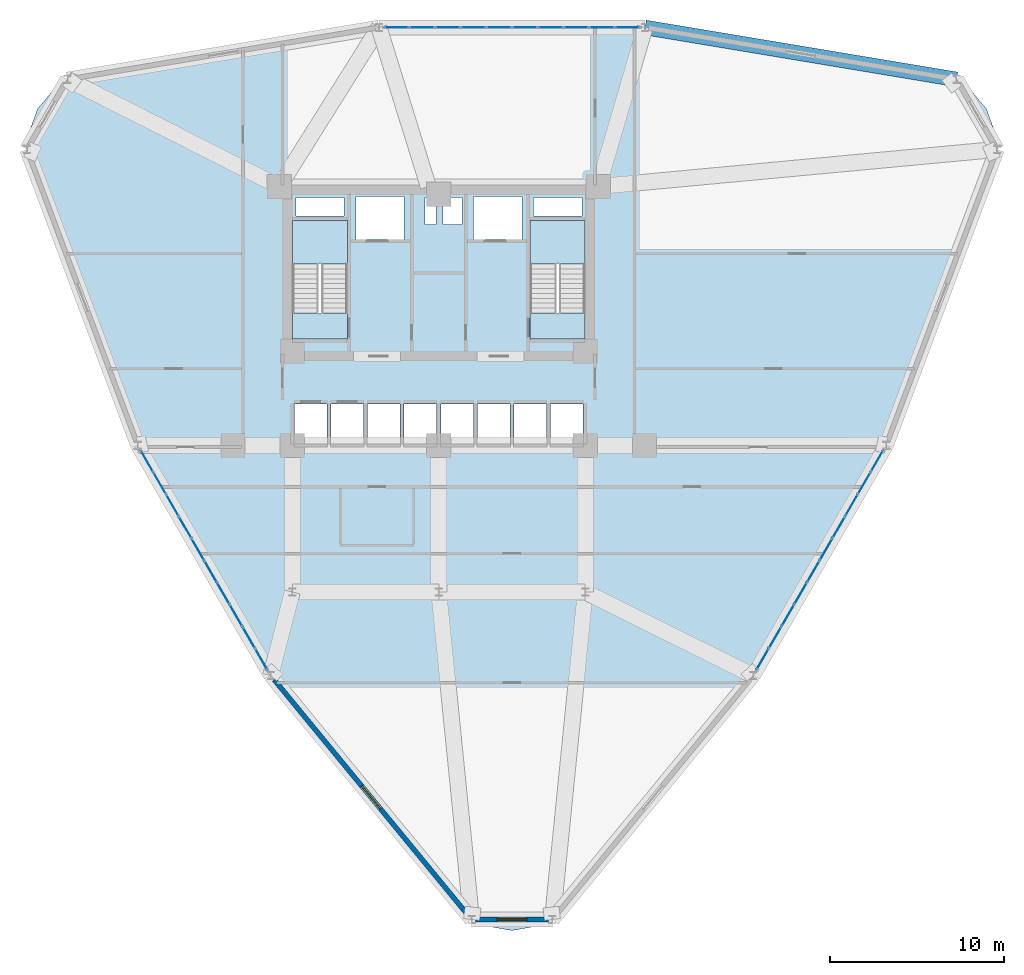
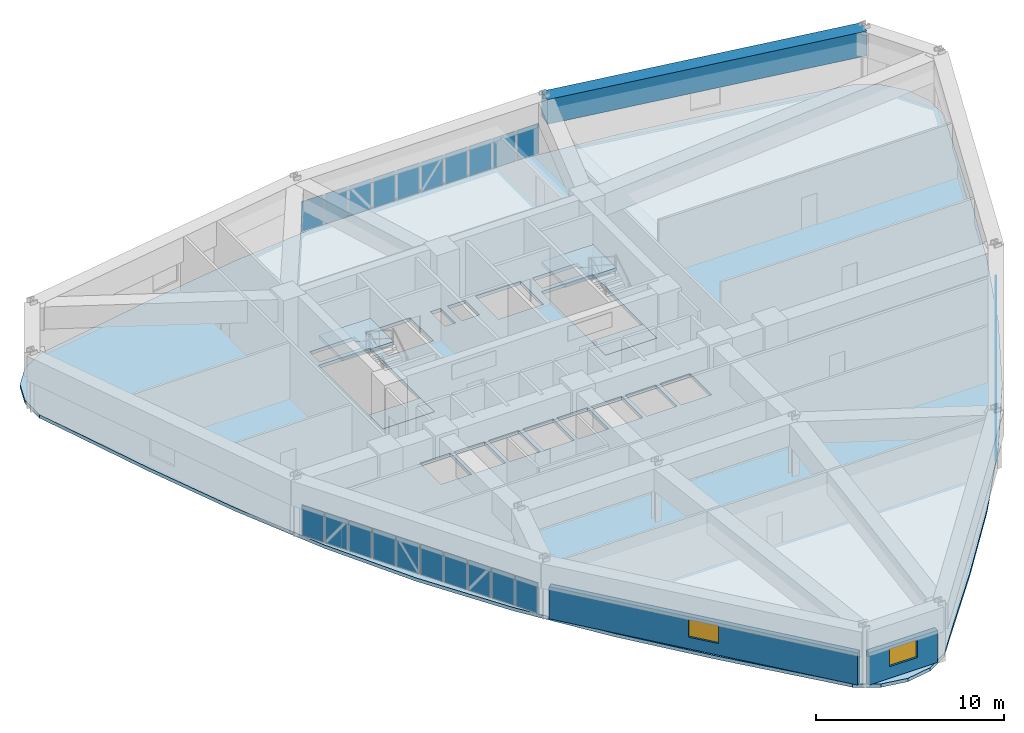
# One storey, part 13 of 18: 30 plates, 5 slabs, 2 walls, 2 windows, 1 beam, 2 openings, 5 elements without a shape of their own.
"""IFC4 building model written with IfcOpenShell, lengths in metres."""

from ifc_helpers import new_model, si_unit, derived_unit, direction, frame, frame_2d, origin, origin_2d, place, context, subcontext, project, spatial, polyline, rectangle, outline, extrude, source, transform, mapped, material, layer, layer_set, material_profile, profile_set, type_object, element, fill, aggregate, save


model = new_model("IFC4")

# Units and contexts
model_context = context("Model", 3, precision=1e-05, world=origin(), true_north=direction((0.0, 1.0)))
body_context = subcontext(model_context, "Body", "Model", "MODEL_VIEW")
ifc_project = project(units=[si_unit("LENGTHUNIT", "METRE"), si_unit("AREAUNIT", "SQUARE_METRE"), si_unit("VOLUMEUNIT", "CUBIC_METRE"), si_unit("PLANEANGLEUNIT", "RADIAN"), si_unit("MASSUNIT", "GRAM", prefix="KILO"), derived_unit("THERMALTRANSMITTANCEUNIT", [(si_unit("POWERUNIT", "WATT"), 1), (si_unit("LENGTHUNIT", "METRE"), -2), (si_unit("THERMODYNAMICTEMPERATUREUNIT", "KELVIN"), -1)])], contexts=[model_context])

# Site, building, storey
site_placement = place(None, origin())
site = spatial("IfcSite", under=ifc_project, at=site_placement, CompositionType="ELEMENT")
building_placement = place(site_placement, origin())
building = spatial("IfcBuilding", under=site, at=building_placement, Name="Korsvarv Bourse and Concert Hall", CompositionType="ELEMENT")
storey_placement = place(building_placement, frame((0.0, 0.0, 71.699951171875)))
storey = spatial("IfcBuildingStorey", under=building, at=storey_placement, Name="L17", CompositionType="ELEMENT", Elevation=71.699951171875)

# Beam
ifc_material_1 = material(Name="Concrete C55/67", Category="concrete")
ifc_material_profile = material_profile(ifc_material_1, rectangle(XDim=0.85009765625, YDim=1.60009765625, at=origin_2d()), Name="RC-BM 850x1600")
ifc_profile_set = profile_set([ifc_material_profile], Name="Concrete C55/67")
beam_type = type_object("IfcBeamType", Name="BM-TR1B", PredefinedType="BEAM", material=ifc_profile_set)
shared_shape_1 = source(origin(), body_context, "Body", "SweptSolid", [
    extrude(rectangle(XDim=0.85009765625, YDim=1.60009765625, at=origin_2d()), origin(), (0.0, 0.0, 1.0), 18.117431640625),
])
beam_placement = place(storey_placement, frame((65.69775390625, 53.398681640625, 2.880126953125), z_axis=(-0.986398293879, 0.164372764873, 0.0), x_axis=(-0.164372764873, -0.986398293879, 0.0)))
element("IfcBeam", 1, at=beam_placement, inside=storey, type_object=beam_type, Name="L17 beam B-TR2", PredefinedType="BEAM", context=body_context, shape_type="MappedRepresentation", body=[
    mapped(shared_shape_1, transform((0.0, 0.0, 0.0), scale=1.0)),
])

# Slabs
ifc_material_2 = material(Name="Precast concrete C45/55", Category="concrete")
ifc_layer_1 = layer(ifc_material_2, 0.199951171875)
ifc_layer_set_1 = layer_set([ifc_layer_1], Name="Precast concrete C45/55")
slab_type_1 = type_object("IfcSlabType", Name="SLB-FLND-T", PredefinedType="LANDING", material=ifc_layer_set_1)
slab_1_placement = place(storey_placement, frame((0.0, 0.0, -0.199951171875)))
element("IfcSlab", 2, at=slab_1_placement, inside=storey, type_object=slab_type_1, Name="L17 Stair ST-T1 Floor Landing Slab", PredefinedType="LANDING", context=body_context, shape_type="SweptSolid", body=[
    extrude(outline(polyline([(30.760009765625, 38.5), (30.760009765625, 40.0), (27.60009765625, 40.0), (27.60009765625, 38.5), (30.760009765625, 38.5)])), origin(), (0.0, 0.0, 1.0), 0.199951171875),
])
slab_2_placement = place(storey_placement, frame((0.0, 0.0, -0.199951171875)))
element("IfcSlab", 3, at=slab_2_placement, inside=storey, type_object=slab_type_1, Name="L17 Stair ST-T2 Floor Landing Slab", PredefinedType="LANDING", context=body_context, shape_type="SweptSolid", body=[
    extrude(outline(polyline([(44.39990234375, 38.5), (44.39990234375, 40.0), (41.239990234375, 40.0), (41.239990234375, 38.5), (44.39990234375, 38.5)])), origin(), (0.0, 0.0, 1.0), 0.199951171875),
])

# Stair, slab
stair_type = type_object("IfcStairType", Name="STR-TYPE-03", PredefinedType="HALF_TURN_STAIR", material=ifc_material_2)
stair_1_placement = place(storey_placement, origin())
stair_1 = element("IfcStair", 4, at=stair_1_placement, inside=storey, type_object=stair_type, Name="L17 Tower West Exit Stair ST-T1", PredefinedType="HALF_TURN_STAIR")
ifc_layer_2 = layer(ifc_material_2, 0.199951171875)
ifc_layer_set_2 = layer_set([ifc_layer_2], Name="Precast concrete C45/55")
slab_type_2 = type_object("IfcSlabType", Name="SLB-ST-LND", PredefinedType="LANDING", material=ifc_layer_set_2)
slab_3_placement = place(storey_placement, frame((0.0, 0.0, 1.75)))
slab_3 = element("IfcSlab", 5, at=slab_3_placement, type_object=slab_type_2, Name="ST-T1 landing 1", PredefinedType="LANDING", context=body_context, shape_type="SweptSolid", body=[
    extrude(outline(polyline([(30.760009765625, 42.800048828125), (30.760009765625, 45.300048828125), (27.60009765625, 45.300048828125), (27.60009765625, 42.800048828125), (30.760009765625, 42.800048828125)])), origin(), (0.0, 0.0, 1.0), 0.199951171875),
])
aggregate(stair_1, [slab_3])

stair_2_placement = place(storey_placement, origin())
stair_2 = element("IfcStair", 6, at=stair_2_placement, inside=storey, type_object=stair_type, Name="L17 Tower East Exit Stair ST-T2", PredefinedType="HALF_TURN_STAIR")
slab_4_placement = place(storey_placement, frame((0.0, 0.0, 1.75)))
slab_4 = element("IfcSlab", 7, at=slab_4_placement, type_object=slab_type_2, Name="ST-T2 landing 1", PredefinedType="LANDING", context=body_context, shape_type="SweptSolid", body=[
    extrude(outline(polyline([(44.39990234375, 42.800048828125), (44.39990234375, 45.300048828125), (41.239990234375, 45.300048828125), (41.239990234375, 42.800048828125), (44.39990234375, 42.800048828125)])), origin(), (0.0, 0.0, 1.0), 0.199951171875),
])
aggregate(stair_2, [slab_4])

# Slab
ifc_material_3 = material(Name="Concrete C45/55", Category="concrete")
ifc_layer_3 = layer(ifc_material_3, 0.219970703125)
ifc_layer_set_3 = layer_set([ifc_layer_3], Name="Concrete C45/55")
slab_type_3 = type_object("IfcSlabType", Name="SLB-TW1", PredefinedType="FLOOR", material=ifc_layer_set_3)
slab_5_placement = place(storey_placement, frame((0.0, 0.0, -0.219970703125)))
element("IfcSlab", 8, at=slab_5_placement, inside=storey, type_object=slab_type_3, Name="L17 tower structural floor slab", PredefinedType="FLOOR", context=body_context, shape_type="SweptSolid", body=[
    extrude(outline(polyline([(67.3515625, 47.177734375), (65.35986328125, 41.58203125), (63.234619140625, 36.088623046875), (60.8564453125, 30.76220703125), (58.1435546875, 25.64013671875), (55.064453125, 20.72998046875), (51.640380859375, 16.007080078125), (47.94580078125, 11.419921875), (44.095703125, 6.897216796875), (44.091552734375, 6.892333984375), (43.014404296875, 5.608642578125), (41.697509765625, 4.848388671875), (40.199951171875, 4.58447265625), (38.702392578125, 4.848388671875), (37.385498046875, 5.608642578125), (36.308349609375, 6.892333984375), (36.304443359375, 6.897216796875), (32.4541015625, 11.419921875), (28.759521484375, 16.007080078125), (25.335693359375, 20.72998046875), (22.25634765625, 25.64013671875), (19.543701171875, 30.76220703125), (17.165283203125, 36.088623046875), (15.040283203125, 41.58203125), (13.04833984375, 47.177734375), (13.04638671875, 47.18359375), (12.47314453125, 48.75830078125), (12.47314453125, 50.27880859375), (12.993408203125, 51.707763671875), (13.970703125, 52.872802734375), (15.28759765625, 53.633056640625), (16.93798828125, 53.924072265625), (16.944091796875, 53.925048828125), (22.785888671875, 54.998046875), (28.605712890625, 55.904296875), (34.407958984375, 56.5078125), (40.199951171875, 56.719482421875), (45.991943359375, 56.5078125), (51.794189453125, 55.904296875), (57.614013671875, 54.998046875), (63.455810546875, 53.925048828125), (63.462158203125, 53.924072265625), (65.1123046875, 53.633056640625), (66.42919921875, 52.872802734375), (67.40673828125, 51.707763671875), (67.9267578125, 50.27880859375), (67.9267578125, 48.75830078125), (67.353759765625, 47.18359375), (67.3515625, 47.177734375)]), holes=[polyline([(30.760009765625, 38.5), (30.760009765625, 45.300048828125), (27.60009765625, 45.300048828125), (27.60009765625, 38.5), (30.760009765625, 38.5)]), polyline([(44.39990234375, 38.5), (44.39990234375, 45.300048828125), (41.239990234375, 45.300048828125), (41.239990234375, 38.5), (44.39990234375, 38.5)]), polyline([(31.239990234375, 44.219970703125), (34.0, 44.219970703125), (34.0, 46.679931640625), (31.239990234375, 46.679931640625), (31.239990234375, 44.219970703125)]), polyline([(38.0, 44.219970703125), (40.760009765625, 44.219970703125), (40.760009765625, 46.679931640625), (38.0, 46.679931640625), (38.0, 44.219970703125)]), polyline([(27.719970703125, 32.52001953125), (29.580078125, 32.52001953125), (29.580078125, 34.780029296875), (27.719970703125, 34.780029296875), (27.719970703125, 32.52001953125)]), polyline([(29.820068359375, 32.52001953125), (31.679931640625, 32.52001953125), (31.679931640625, 34.780029296875), (29.820068359375, 34.780029296875), (29.820068359375, 32.52001953125)]), polyline([(31.919921875, 32.52001953125), (33.780029296875, 32.52001953125), (33.780029296875, 34.780029296875), (31.919921875, 34.780029296875), (31.919921875, 32.52001953125)]), polyline([(34.02001953125, 32.52001953125), (35.8798828125, 32.52001953125), (35.8798828125, 34.780029296875), (34.02001953125, 34.780029296875), (34.02001953125, 32.52001953125)]), polyline([(36.1201171875, 32.52001953125), (37.97998046875, 32.52001953125), (37.97998046875, 34.780029296875), (36.1201171875, 34.780029296875), (36.1201171875, 32.52001953125)]), polyline([(38.219970703125, 32.52001953125), (40.080078125, 32.52001953125), (40.080078125, 34.780029296875), (38.219970703125, 34.780029296875), (38.219970703125, 32.52001953125)]), polyline([(40.320068359375, 32.52001953125), (42.179931640625, 32.52001953125), (42.179931640625, 34.780029296875), (40.320068359375, 34.780029296875), (40.320068359375, 32.52001953125)]), polyline([(42.419921875, 32.52001953125), (44.280029296875, 32.52001953125), (44.280029296875, 34.780029296875), (42.419921875, 34.780029296875), (42.419921875, 32.52001953125)]), polyline([(27.800048828125, 45.56005859375), (30.56005859375, 45.56005859375), (30.56005859375, 46.6201171875), (27.800048828125, 46.6201171875), (27.800048828125, 45.56005859375)]), polyline([(41.43994140625, 45.56005859375), (44.199951171875, 45.56005859375), (44.199951171875, 46.6201171875), (41.43994140625, 46.6201171875), (41.43994140625, 45.56005859375)]), polyline([(35.199951171875, 45.080078125), (35.840087890625, 45.080078125), (35.840087890625, 46.6201171875), (35.199951171875, 46.6201171875), (35.199951171875, 45.080078125)]), polyline([(36.239990234375, 45.080078125), (37.320068359375, 45.080078125), (37.320068359375, 46.6201171875), (36.239990234375, 46.6201171875), (36.239990234375, 45.080078125)])]), origin(), (0.0, 0.0, 1.0), 0.219970703125),
])

# Curtain wall, plates
ifc_material_4 = material(Name="Anodised aluminium and triple low-E glazing", Category="glass")
ifc_layer_4 = layer(ifc_material_4, 0.219970703125)
ifc_layer_set_4 = layer_set([ifc_layer_4], Name="Anodised aluminium and triple low-E glazing")
curtain_wall_type = type_object("IfcCurtainWallType", Name="CW-SYS-1", PredefinedType="NOTDEFINED", material=ifc_layer_set_4)
curtain_wall_1_placement = place(storey_placement, origin())
curtain_wall_1 = element("IfcCurtainWall", 9, at=curtain_wall_1_placement, inside=storey, type_object=curtain_wall_type, Name="L17 CW1 curtain wall CW-L17-F03", PredefinedType="NOTDEFINED")
ifc_material_5 = material(Name="Tempered triple insulated low-E architectural glass", Category="glass")
ifc_layer_5 = layer(ifc_material_5, 0.035888671875)
ifc_layer_set_5 = layer_set([ifc_layer_5], Name="Tempered triple insulated low-E architectural glass")
plate_type_1 = type_object("IfcPlateType", Name="CWP-VIS1", PredefinedType="CURTAIN_PANEL", material=ifc_layer_set_5)
shared_shape_2 = source(origin(), body_context, "Body", "SweptSolid", [
    extrude(rectangle(XDim=1.367919921875, YDim=0.035888671875, at=origin_2d()), origin(), (0.0, 0.0, 1.0), 1.949951171875),
])
plate_1_placement = place(storey_placement, frame((46.810791015625, 56.376708984375, 0.06494140625), z_axis=(0.0, 0.0, 1.0), x_axis=(-1.0, 0.0, 0.0)))
plate_1 = element("IfcPlate", 10, at=plate_1_placement, type_object=plate_type_1, Name="CW1 faceted panel 1.1", PredefinedType="CURTAIN_PANEL", context=body_context, shape_type="MappedRepresentation", body=[
    mapped(shared_shape_2, transform((0.0, 0.0, 0.0), scale=1.0)),
])
plate_2_placement = place(storey_placement, frame((33.58935546875, 56.376708984375, 0.06494140625), z_axis=(0.0, 0.0, 1.0), x_axis=(-1.0, 0.0, 0.0)))
plate_2 = element("IfcPlate", 11, at=plate_2_placement, type_object=plate_type_1, Name="CW1 faceted panel 10.1", PredefinedType="CURTAIN_PANEL", context=body_context, shape_type="MappedRepresentation", body=[
    mapped(shared_shape_2, transform((0.0, 0.0, 0.0), scale=1.0)),
])
ifc_material_6 = material(Name="Insulated spandrel glass", Category="glass")
ifc_layer_6 = layer(ifc_material_6, 0.031982421875)
ifc_layer_set_6 = layer_set([ifc_layer_6], Name="Insulated spandrel glass")
plate_type_2 = type_object("IfcPlateType", Name="CWP-SPD1", PredefinedType="CURTAIN_PANEL", material=ifc_layer_set_6)
shared_shape_3 = source(origin(), body_context, "Body", "SweptSolid", [
    extrude(rectangle(XDim=1.40283203125, YDim=0.031982421875, at=origin_2d()), origin(), (0.0, 0.0, 1.0), 1.949951171875),
])
plate_3_placement = place(storey_placement, frame((45.355224609375, 56.376708984375, 0.06494140625), z_axis=(0.0, 0.0, 1.0), x_axis=(-1.0, 0.0, 0.0)))
plate_3 = element("IfcPlate", 12, at=plate_3_placement, type_object=plate_type_2, Name="CW1 spandrel shadow-box panel 2.1", PredefinedType="CURTAIN_PANEL", context=body_context, shape_type="MappedRepresentation", body=[
    mapped(shared_shape_3, transform((0.0, 0.0, 0.0), scale=1.0)),
])
plate_4_placement = place(storey_placement, frame((40.9365234375, 56.376708984375, 0.06494140625), z_axis=(0.0, 0.0, 1.0), x_axis=(-1.0, 0.0, 0.0)))
plate_4 = element("IfcPlate", 13, at=plate_4_placement, type_object=plate_type_2, Name="CW1 spandrel shadow-box panel 5.1", PredefinedType="CURTAIN_PANEL", context=body_context, shape_type="MappedRepresentation", body=[
    mapped(shared_shape_3, transform((0.0, 0.0, 0.0), scale=1.0)),
])
plate_5_placement = place(storey_placement, frame((36.517578125, 56.376708984375, 0.06494140625), z_axis=(0.0, 0.0, 1.0), x_axis=(-1.0, 0.0, 0.0)))
plate_5 = element("IfcPlate", 14, at=plate_5_placement, type_object=plate_type_2, Name="CW1 spandrel shadow-box panel 8.1", PredefinedType="CURTAIN_PANEL", context=body_context, shape_type="MappedRepresentation", body=[
    mapped(shared_shape_3, transform((0.0, 0.0, 0.0), scale=1.0)),
])
shared_shape_4 = source(origin(), body_context, "Body", "SweptSolid", [
    extrude(rectangle(XDim=1.40283203125, YDim=0.035888671875, at=origin_2d()), origin(), (0.0, 0.0, 1.0), 1.949951171875),
])
plate_6_placement = place(storey_placement, frame((43.88232421875, 56.376708984375, 0.06494140625), z_axis=(0.0, 0.0, 1.0), x_axis=(-1.0, 0.0, 0.0)))
plate_6 = element("IfcPlate", 15, at=plate_6_placement, type_object=plate_type_1, Name="CW1 faceted panel 3.1", PredefinedType="CURTAIN_PANEL", context=body_context, shape_type="MappedRepresentation", body=[
    mapped(shared_shape_4, transform((0.0, 0.0, 0.0), scale=1.0)),
])
plate_7_placement = place(storey_placement, frame((42.409423828125, 56.376708984375, 0.06494140625), z_axis=(0.0, 0.0, 1.0), x_axis=(-1.0, 0.0, 0.0)))
plate_7 = element("IfcPlate", 16, at=plate_7_placement, type_object=plate_type_1, Name="CW1 faceted panel 4.1", PredefinedType="CURTAIN_PANEL", context=body_context, shape_type="MappedRepresentation", body=[
    mapped(shared_shape_4, transform((0.0, 0.0, 0.0), scale=1.0)),
])
plate_8_placement = place(storey_placement, frame((39.463623046875, 56.376708984375, 0.06494140625), z_axis=(0.0, 0.0, 1.0), x_axis=(-1.0, 0.0, 0.0)))
plate_8 = element("IfcPlate", 17, at=plate_8_placement, type_object=plate_type_1, Name="CW1 faceted panel 6.1", PredefinedType="CURTAIN_PANEL", context=body_context, shape_type="MappedRepresentation", body=[
    mapped(shared_shape_4, transform((0.0, 0.0, 0.0), scale=1.0)),
])
plate_9_placement = place(storey_placement, frame((37.990478515625, 56.376708984375, 0.06494140625), z_axis=(0.0, 0.0, 1.0), x_axis=(-1.0, 0.0, 0.0)))
plate_9 = element("IfcPlate", 18, at=plate_9_placement, type_object=plate_type_1, Name="CW1 faceted panel 7.1", PredefinedType="CURTAIN_PANEL", context=body_context, shape_type="MappedRepresentation", body=[
    mapped(shared_shape_4, transform((0.0, 0.0, 0.0), scale=1.0)),
])
plate_10_placement = place(storey_placement, frame((35.044677734375, 56.376708984375, 0.06494140625), z_axis=(0.0, 0.0, 1.0), x_axis=(-1.0, 0.0, 0.0)))
plate_10 = element("IfcPlate", 19, at=plate_10_placement, type_object=plate_type_1, Name="CW1 faceted panel 9.1", PredefinedType="CURTAIN_PANEL", context=body_context, shape_type="MappedRepresentation", body=[
    mapped(shared_shape_4, transform((0.0, 0.0, 0.0), scale=1.0)),
])
aggregate(curtain_wall_1, [plate_1, plate_3, plate_6, plate_7, plate_4, plate_8, plate_9, plate_5, plate_10, plate_2])

curtain_wall_2_placement = place(storey_placement, origin())
curtain_wall_2 = element("IfcCurtainWall", 20, at=curtain_wall_2_placement, inside=storey, type_object=curtain_wall_type, Name="L17 CW1 curtain wall CW-L17-F07", PredefinedType="NOTDEFINED")
shared_shape_5 = source(origin(), body_context, "Body", "SweptSolid", [
    extrude(rectangle(XDim=1.35400390625, YDim=0.035888671875, at=origin_2d()), origin(), (0.0, 0.0, 1.0), 1.949951171875),
])
plate_11_placement = place(storey_placement, frame((19.279052734375, 31.482666015625, 0.06494140625), z_axis=(0.0, 0.0, 1.0), x_axis=(0.500006038217, -0.86602191759, 0.0)))
plate_11 = element("IfcPlate", 21, at=plate_11_placement, type_object=plate_type_1, Name="CW1 faceted panel 1.1", PredefinedType="CURTAIN_PANEL", context=body_context, shape_type="MappedRepresentation", body=[
    mapped(shared_shape_5, transform((0.0, 0.0, 0.0), scale=1.0)),
])
plate_12_placement = place(storey_placement, frame((25.827392578125, 20.140625, 0.06494140625), z_axis=(0.0, 0.0, 1.0), x_axis=(0.500006038217, -0.86602191759, 0.0)))
plate_12 = element("IfcPlate", 22, at=plate_12_placement, type_object=plate_type_1, Name="CW1 faceted panel 10.1", PredefinedType="CURTAIN_PANEL", context=body_context, shape_type="MappedRepresentation", body=[
    mapped(shared_shape_5, transform((0.0, 0.0, 0.0), scale=1.0)),
])

curtain_wall_3_placement = place(storey_placement, origin())
curtain_wall_3 = element("IfcCurtainWall", 23, at=curtain_wall_3_placement, inside=storey, type_object=curtain_wall_type, Name="L17 CW1 curtain wall CW-L17-F11", PredefinedType="NOTDEFINED")
plate_13_placement = place(storey_placement, frame((54.572509765625, 20.140625, 0.06494140625), z_axis=(0.0, 0.0, 1.0), x_axis=(0.500006038217, 0.86602191759, 0.0)))
plate_13 = element("IfcPlate", 24, at=plate_13_placement, type_object=plate_type_1, Name="CW1 faceted panel 1.1", PredefinedType="CURTAIN_PANEL", context=body_context, shape_type="MappedRepresentation", body=[
    mapped(shared_shape_5, transform((0.0, 0.0, 0.0), scale=1.0)),
])
plate_14_placement = place(storey_placement, frame((61.12109375, 31.482666015625, 0.06494140625), z_axis=(0.0, 0.0, 1.0), x_axis=(0.500006038217, 0.86602191759, 0.0)))
plate_14 = element("IfcPlate", 25, at=plate_14_placement, type_object=plate_type_1, Name="CW1 faceted panel 10.1", PredefinedType="CURTAIN_PANEL", context=body_context, shape_type="MappedRepresentation", body=[
    mapped(shared_shape_5, transform((0.0, 0.0, 0.0), scale=1.0)),
])

# Plate
shared_shape_6 = source(origin(), body_context, "Body", "SweptSolid", [
    extrude(rectangle(XDim=1.38916015625, YDim=0.031982421875, at=origin_2d()), origin(), (0.0, 0.0, 1.0), 1.949951171875),
])
plate_15_placement = place(storey_placement, frame((19.999755859375, 30.234130859375, 0.06494140625), z_axis=(0.0, 0.0, 1.0), x_axis=(0.500006038217, -0.86602191759, 0.0)))
plate_15 = element("IfcPlate", 26, at=plate_15_placement, type_object=plate_type_2, Name="CW1 spandrel shadow-box panel 2.1", PredefinedType="CURTAIN_PANEL", context=body_context, shape_type="MappedRepresentation", body=[
    mapped(shared_shape_6, transform((0.0, 0.0, 0.0), scale=1.0)),
])

plate_16_placement = place(storey_placement, frame((22.1884765625, 26.443359375, 0.06494140625), z_axis=(0.0, 0.0, 1.0), x_axis=(0.500006038217, -0.86602191759, 0.0)))
plate_16 = element("IfcPlate", 27, at=plate_16_placement, type_object=plate_type_2, Name="CW1 spandrel shadow-box panel 5.1", PredefinedType="CURTAIN_PANEL", context=body_context, shape_type="MappedRepresentation", body=[
    mapped(shared_shape_6, transform((0.0, 0.0, 0.0), scale=1.0)),
])

plate_17_placement = place(storey_placement, frame((24.376953125, 22.652587890625, 0.06494140625), z_axis=(0.0, 0.0, 1.0), x_axis=(0.500006038217, -0.86602191759, 0.0)))
plate_17 = element("IfcPlate", 28, at=plate_17_placement, type_object=plate_type_2, Name="CW1 spandrel shadow-box panel 8.1", PredefinedType="CURTAIN_PANEL", context=body_context, shape_type="MappedRepresentation", body=[
    mapped(shared_shape_6, transform((0.0, 0.0, 0.0), scale=1.0)),
])

plate_18_placement = place(storey_placement, frame((55.29345703125, 21.38916015625, 0.06494140625), z_axis=(0.0, 0.0, 1.0), x_axis=(0.500006038217, 0.86602191759, 0.0)))
plate_18 = element("IfcPlate", 29, at=plate_18_placement, type_object=plate_type_2, Name="CW1 spandrel shadow-box panel 2.1", PredefinedType="CURTAIN_PANEL", context=body_context, shape_type="MappedRepresentation", body=[
    mapped(shared_shape_6, transform((0.0, 0.0, 0.0), scale=1.0)),
])

plate_19_placement = place(storey_placement, frame((57.48193359375, 25.179931640625, 0.06494140625), z_axis=(0.0, 0.0, 1.0), x_axis=(0.500006038217, 0.86602191759, 0.0)))
plate_19 = element("IfcPlate", 30, at=plate_19_placement, type_object=plate_type_2, Name="CW1 spandrel shadow-box panel 5.1", PredefinedType="CURTAIN_PANEL", context=body_context, shape_type="MappedRepresentation", body=[
    mapped(shared_shape_6, transform((0.0, 0.0, 0.0), scale=1.0)),
])

plate_20_placement = place(storey_placement, frame((59.670654296875, 28.970458984375, 0.06494140625), z_axis=(0.0, 0.0, 1.0), x_axis=(0.500006038217, 0.86602191759, 0.0)))
plate_20 = element("IfcPlate", 31, at=plate_20_placement, type_object=plate_type_2, Name="CW1 spandrel shadow-box panel 8.1", PredefinedType="CURTAIN_PANEL", context=body_context, shape_type="MappedRepresentation", body=[
    mapped(shared_shape_6, transform((0.0, 0.0, 0.0), scale=1.0)),
])

shared_shape_7 = source(origin(), body_context, "Body", "SweptSolid", [
    extrude(rectangle(XDim=1.38916015625, YDim=0.035888671875, at=origin_2d()), origin(), (0.0, 0.0, 1.0), 1.949951171875),
])
plate_21_placement = place(storey_placement, frame((20.729248046875, 28.970458984375, 0.06494140625), z_axis=(0.0, 0.0, 1.0), x_axis=(0.500006038217, -0.86602191759, 0.0)))
plate_21 = element("IfcPlate", 32, at=plate_21_placement, type_object=plate_type_1, Name="CW1 faceted panel 3.1", PredefinedType="CURTAIN_PANEL", context=body_context, shape_type="MappedRepresentation", body=[
    mapped(shared_shape_7, transform((0.0, 0.0, 0.0), scale=1.0)),
])

plate_22_placement = place(storey_placement, frame((21.458984375, 27.70703125, 0.06494140625), z_axis=(0.0, 0.0, 1.0), x_axis=(0.500006038217, -0.86602191759, 0.0)))
plate_22 = element("IfcPlate", 33, at=plate_22_placement, type_object=plate_type_1, Name="CW1 faceted panel 4.1", PredefinedType="CURTAIN_PANEL", context=body_context, shape_type="MappedRepresentation", body=[
    mapped(shared_shape_7, transform((0.0, 0.0, 0.0), scale=1.0)),
])

plate_23_placement = place(storey_placement, frame((22.91796875, 25.179931640625, 0.06494140625), z_axis=(0.0, 0.0, 1.0), x_axis=(0.500006038217, -0.86602191759, 0.0)))
plate_23 = element("IfcPlate", 34, at=plate_23_placement, type_object=plate_type_1, Name="CW1 faceted panel 6.1", PredefinedType="CURTAIN_PANEL", context=body_context, shape_type="MappedRepresentation", body=[
    mapped(shared_shape_7, transform((0.0, 0.0, 0.0), scale=1.0)),
])

plate_24_placement = place(storey_placement, frame((23.6474609375, 23.916259765625, 0.06494140625), z_axis=(0.0, 0.0, 1.0), x_axis=(0.500006038217, -0.86602191759, 0.0)))
plate_24 = element("IfcPlate", 35, at=plate_24_placement, type_object=plate_type_1, Name="CW1 faceted panel 7.1", PredefinedType="CURTAIN_PANEL", context=body_context, shape_type="MappedRepresentation", body=[
    mapped(shared_shape_7, transform((0.0, 0.0, 0.0), scale=1.0)),
])

plate_25_placement = place(storey_placement, frame((25.106689453125, 21.38916015625, 0.06494140625), z_axis=(0.0, 0.0, 1.0), x_axis=(0.500006038217, -0.86602191759, 0.0)))
plate_25 = element("IfcPlate", 36, at=plate_25_placement, type_object=plate_type_1, Name="CW1 faceted panel 9.1", PredefinedType="CURTAIN_PANEL", context=body_context, shape_type="MappedRepresentation", body=[
    mapped(shared_shape_7, transform((0.0, 0.0, 0.0), scale=1.0)),
])

aggregate(curtain_wall_2, [plate_11, plate_15, plate_21, plate_22, plate_16, plate_23, plate_24, plate_17, plate_25, plate_12])

plate_26_placement = place(storey_placement, frame((56.02294921875, 22.652587890625, 0.06494140625), z_axis=(0.0, 0.0, 1.0), x_axis=(0.500006038217, 0.86602191759, 0.0)))
plate_26 = element("IfcPlate", 37, at=plate_26_placement, type_object=plate_type_1, Name="CW1 faceted panel 3.1", PredefinedType="CURTAIN_PANEL", context=body_context, shape_type="MappedRepresentation", body=[
    mapped(shared_shape_7, transform((0.0, 0.0, 0.0), scale=1.0)),
])

plate_27_placement = place(storey_placement, frame((56.75244140625, 23.916259765625, 0.06494140625), z_axis=(0.0, 0.0, 1.0), x_axis=(0.500006038217, 0.86602191759, 0.0)))
plate_27 = element("IfcPlate", 38, at=plate_27_placement, type_object=plate_type_1, Name="CW1 faceted panel 4.1", PredefinedType="CURTAIN_PANEL", context=body_context, shape_type="MappedRepresentation", body=[
    mapped(shared_shape_7, transform((0.0, 0.0, 0.0), scale=1.0)),
])

plate_28_placement = place(storey_placement, frame((58.211669921875, 26.443359375, 0.06494140625), z_axis=(0.0, 0.0, 1.0), x_axis=(0.500006038217, 0.86602191759, 0.0)))
plate_28 = element("IfcPlate", 39, at=plate_28_placement, type_object=plate_type_1, Name="CW1 faceted panel 6.1", PredefinedType="CURTAIN_PANEL", context=body_context, shape_type="MappedRepresentation", body=[
    mapped(shared_shape_7, transform((0.0, 0.0, 0.0), scale=1.0)),
])

plate_29_placement = place(storey_placement, frame((58.941162109375, 27.70703125, 0.06494140625), z_axis=(0.0, 0.0, 1.0), x_axis=(0.500006038217, 0.86602191759, 0.0)))
plate_29 = element("IfcPlate", 40, at=plate_29_placement, type_object=plate_type_1, Name="CW1 faceted panel 7.1", PredefinedType="CURTAIN_PANEL", context=body_context, shape_type="MappedRepresentation", body=[
    mapped(shared_shape_7, transform((0.0, 0.0, 0.0), scale=1.0)),
])

plate_30_placement = place(storey_placement, frame((60.400146484375, 30.234130859375, 0.06494140625), z_axis=(0.0, 0.0, 1.0), x_axis=(0.500006038217, 0.86602191759, 0.0)))
plate_30 = element("IfcPlate", 41, at=plate_30_placement, type_object=plate_type_1, Name="CW1 faceted panel 9.1", PredefinedType="CURTAIN_PANEL", context=body_context, shape_type="MappedRepresentation", body=[
    mapped(shared_shape_7, transform((0.0, 0.0, 0.0), scale=1.0)),
])

aggregate(curtain_wall_3, [plate_13, plate_18, plate_26, plate_27, plate_19, plate_28, plate_29, plate_20, plate_30, plate_14])

# Wall, opening, window
ifc_material_7 = material(Name="Precast concrete C45/55 with terracotta rainscreen", Category="concrete")
ifc_layer_7 = layer(ifc_material_7, 0.300048828125)
ifc_layer_set_7 = layer_set([ifc_layer_7], Name="Precast concrete C45/55 with terracotta rainscreen")
wall_type_1 = type_object("IfcWallType", Name="WL-EXT-TC1", PredefinedType="SOLIDWALL", material=ifc_layer_set_7)
wall_1_placement = place(storey_placement, frame((38.097900390625, 5.218994140625, 0.0), z_axis=(0.0, 0.0, 1.0), x_axis=(1.0, 0.0, 0.0)))
wall_1 = element("IfcWall", 42, at=wall_1_placement, inside=storey, type_object=wall_type_1, Name="L17 terracotta exterior wall EW-L17-B09", PredefinedType="SOLIDWALL", context=body_context, shape_type="SweptSolid", body=[
    extrude(rectangle(XDim=4.2041015625, YDim=0.300048828125, at=frame_2d((2.10205078125, 0.0))), origin(), (0.0, 0.0, 1.0), 2.080078125),
])
opening_1_placement = place(wall_1_placement, frame((1.251953125, 0.0, 0.75)))
opening_1 = element("IfcOpeningElement", 43, at=opening_1_placement, cuts=wall_1, Name="Opening W-06", PredefinedType="OPENING", context=body_context, shape_type="SweptSolid", body=[
    extrude(rectangle(XDim=1.699951171875, YDim=1.14990234375, at=frame_2d((0.85009765625, 0.574951171875))), frame((0.0, 0.16015625, 0.0), z_axis=(0.0, -1.0, 0.0), x_axis=(1.0, 0.0, 0.0)), (0.0, 0.0, 1.0), 0.320068359375),
])
ifc_material_8 = material(Name="Thermally broken aluminium frame with triple low-E glass", Category="glass")
window_type = type_object("IfcWindowType", Name="WIN-TW1-1700X1150", PartitioningType="SINGLE_PANEL", PredefinedType="WINDOW", material=ifc_material_8)
window_1_placement = place(opening_1_placement, origin())
window_1 = element("IfcWindow", 44, at=window_1_placement, inside=storey, type_object=window_type, Name="L17 punched facade window W-06", OverallHeight=1.14990234375, OverallWidth=1.699951171875, PartitioningType="SINGLE_PANEL", PredefinedType="WINDOW", context=body_context, shape_type="SweptSolid", body=[
    extrude(rectangle(XDim=1.699951171875, YDim=1.14990234375, at=frame_2d((0.85009765625, 0.574951171875))), frame((0.0, 0.030029296875, 0.0), z_axis=(0.0, -1.0, 0.0), x_axis=(1.0, 0.0, 0.0)), (0.0, 0.0, 1.0), 0.06005859375),
])
fill(opening_1, window_1)

ifc_material_9 = material(Name="Precast concrete C45/55 with fluted terracotta pier", Category="concrete")
ifc_layer_8 = layer(ifc_material_9, 0.280029296875)
ifc_layer_set_8 = layer_set([ifc_layer_8], Name="Precast concrete C45/55 with fluted terracotta pier")
wall_type_2 = type_object("IfcWallType", Name="WL-EXT-TC2", PredefinedType="SOLIDWALL", material=ifc_layer_set_8)
wall_2_placement = place(storey_placement, frame((26.56591796875, 18.964599609375, 0.0), z_axis=(0.0, 0.0, 1.0), x_axis=(0.635547248194, -0.772061976342, 0.0)))
wall_2 = element("IfcWall", 45, at=wall_2_placement, inside=storey, type_object=wall_type_2, Name="L17 terracotta exterior wall EW-L17-B08", PredefinedType="SOLIDWALL", context=body_context, shape_type="SweptSolid", body=[
    extrude(rectangle(XDim=17.490478515625, YDim=0.280029296875, at=frame_2d((8.7451171875, 0.0))), origin(), (0.0, 0.0, 1.0), 2.080078125),
])
opening_2_placement = place(wall_2_placement, frame((7.895263671875, 0.0, 0.75)))
opening_2 = element("IfcOpeningElement", 46, at=opening_2_placement, cuts=wall_2, Name="Opening W-06", PredefinedType="OPENING", context=body_context, shape_type="SweptSolid", body=[
    extrude(rectangle(XDim=1.699951171875, YDim=1.14990234375, at=frame_2d((0.85009765625, 0.574951171875))), frame((0.0, 0.14990234375, 0.0), z_axis=(0.0, -1.0, 0.0), x_axis=(1.0, 0.0, 0.0)), (0.0, 0.0, 1.0), 0.300048828125),
])
window_2_placement = place(opening_2_placement, origin())
window_2 = element("IfcWindow", 47, at=window_2_placement, inside=storey, type_object=window_type, Name="L17 punched facade window W-06", OverallHeight=1.14990234375, OverallWidth=1.699951171875, PartitioningType="SINGLE_PANEL", PredefinedType="WINDOW", context=body_context, shape_type="SweptSolid", body=[
    extrude(rectangle(XDim=1.699951171875, YDim=1.14990234375, at=frame_2d((0.85009765625, 0.574951171875))), frame((0.0, 0.030029296875, 0.0), z_axis=(0.0, -1.0, 0.0), x_axis=(1.0, 0.0, 0.0)), (0.0, 0.0, 1.0), 0.06005859375),
])
fill(opening_2, window_2)

save(model, "model.ifc")
